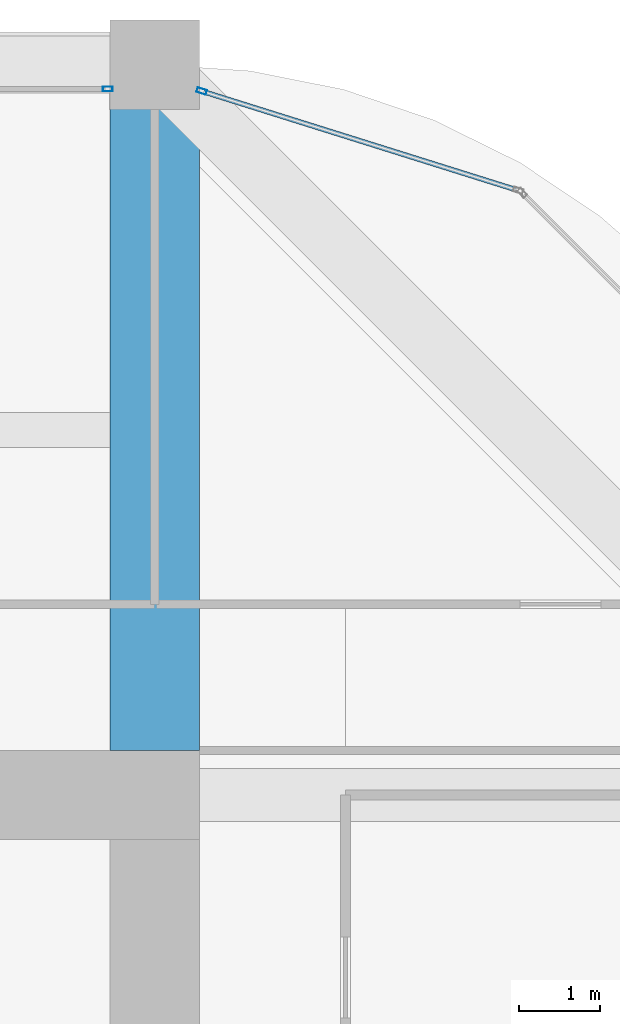
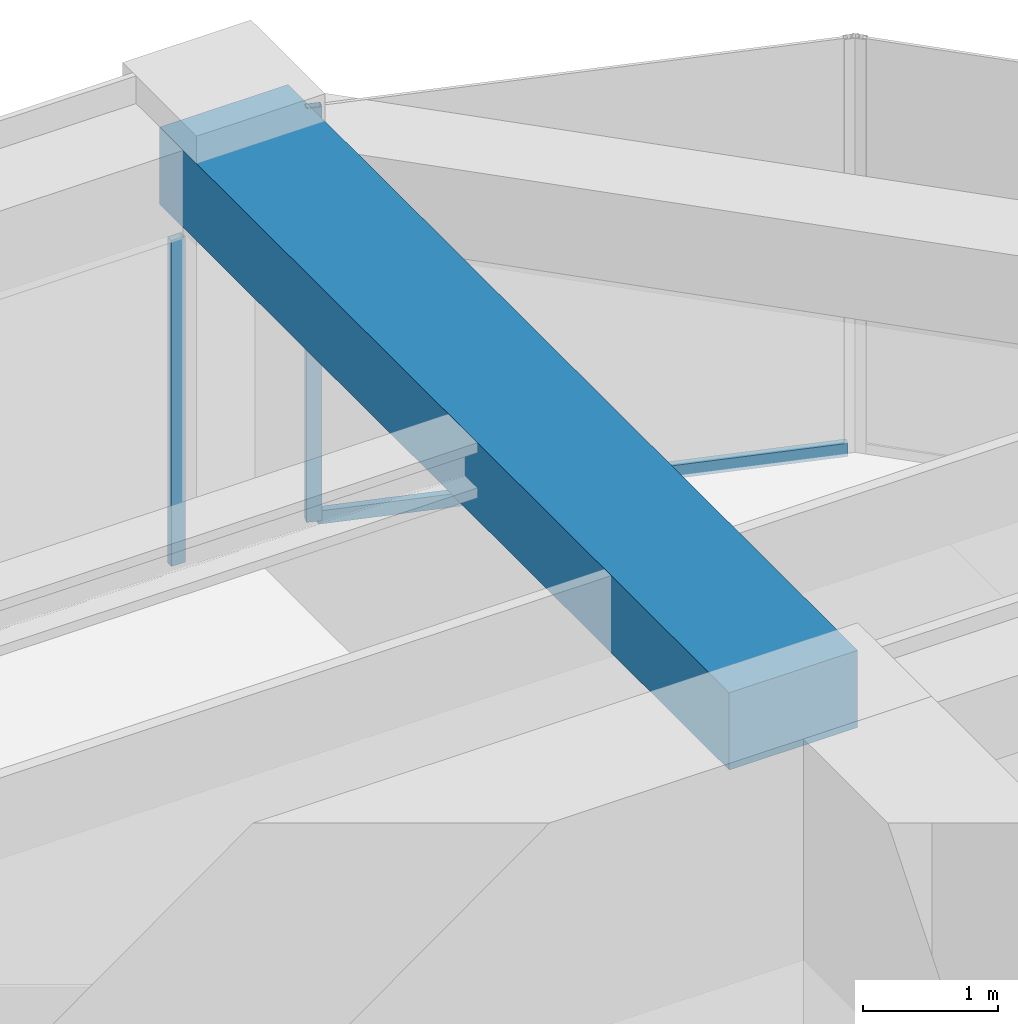
# One storey, part 37 of 44: 3 members, 1 beam, 2 elements without a shape of their own.
"""IFC4 building model written with IfcOpenShell, lengths in metres."""

from ifc_helpers import new_model, si_unit, direction, frame, origin, origin_2d, place, context, subcontext, project, spatial, rectangle, hollow_rectangle, extrude, material, material_profile, profile_set, type_object, element, aggregate, save


model = new_model("IFC4")

# Units and contexts
model_context = context("Model", 3, precision=1e-05, world=origin(), true_north=direction((0.0, 1.0)))
body_context = subcontext(model_context, "Body", "Model", "MODEL_VIEW")
ifc_project = project(units=[si_unit("LENGTHUNIT", "METRE"), si_unit("AREAUNIT", "SQUARE_METRE"), si_unit("VOLUMEUNIT", "CUBIC_METRE"), si_unit("PLANEANGLEUNIT", "RADIAN"), si_unit("MASSUNIT", "GRAM", prefix="KILO")], contexts=[model_context])

# Site, building, storey
site_placement = place(None, origin())
site = spatial("IfcSite", under=ifc_project, at=site_placement, CompositionType="ELEMENT")
building_placement = place(site_placement, origin())
building = spatial("IfcBuilding", under=site, at=building_placement, Name="Zorevar Civic Tower", CompositionType="ELEMENT")
storey_placement = place(building_placement, frame((0.0, 0.0, 271.39990234375)))
storey = spatial("IfcBuildingStorey", under=building, at=storey_placement, Name="L66", CompositionType="ELEMENT", Elevation=271.39990234375)

# Beam
ifc_material_1 = material(Name="Concrete C50/60", Category="concrete")
ifc_material_profile_1 = material_profile(ifc_material_1, rectangle(XDim=1.10009765625, YDim=0.699951171875, at=origin_2d()), Name="RC 1100x700")
ifc_profile_set_1 = profile_set([ifc_material_profile_1], Name="Concrete C50/60")
beam_type = type_object("IfcBeamType", Name="Beam RC 1100x700", PredefinedType="BEAM", material=ifc_profile_set_1)
beam_placement = place(storey_placement, frame((45.0, 36.550048828125, 3.400146484375), z_axis=(0.0, 1.0, 0.0), x_axis=(-1.0, 0.0, 0.0)))
element("IfcBeam", 1, at=beam_placement, inside=storey, type_object=beam_type, Name="Girder L67", PredefinedType="BEAM", context=body_context, shape_type="SweptSolid", body=[
    extrude(rectangle(XDim=1.10009765625, YDim=0.699951171875, at=origin_2d()), origin(), (0.0, 0.0, 1.0), 8.449951171875),
])

# Curtain wall, member
ifc_material_2 = material(Name="Dark grey solar-control glass in black aluminium frame", Category="aluminium")
curtain_wall_type = type_object("IfcCurtainWallType", Name="Curtain wall CW5 top zone", PredefinedType="NOTDEFINED", material=ifc_material_2)
curtain_wall_1_placement = place(storey_placement, origin())
curtain_wall_1 = element("IfcCurtainWall", 2, at=curtain_wall_1_placement, inside=storey, type_object=curtain_wall_type, Name="CW5 L66", PredefinedType="NOTDEFINED")
ifc_material_3 = material(Name="Aluminium, black anodised", Category="aluminium")
ifc_material_profile_2 = material_profile(ifc_material_3, hollow_rectangle(XDim=0.06005859375, YDim=0.1201171875, WallThickness=0.0029296875, at=origin_2d()), Name="AL 120x60x3")
ifc_profile_set_2 = profile_set([ifc_material_profile_2], Name="Aluminium, black anodised")
member_type_1 = type_object("IfcMemberType", Name="CW5 mullion AL 120x60x3", PredefinedType="MULLION", material=ifc_profile_set_2)
member_1_placement = place(storey_placement, frame((44.419921875, 44.699951171875, 0.0), z_axis=(0.0, 0.0, 1.0), x_axis=(0.0, 1.0, 0.0)))
member_1 = element("IfcMember", 3, at=member_1_placement, type_object=member_type_1, Name="CW5 mullion 3", PredefinedType="MULLION", context=body_context, shape_type="SweptSolid", body=[
    extrude(hollow_rectangle(XDim=0.06005859375, YDim=0.1201171875, WallThickness=0.0029296875, at=origin_2d()), origin(), (0.0, 0.0, 1.0), 2.9501953125),
])
aggregate(curtain_wall_1, [member_1])

# Curtain wall, members
curtain_wall_2_placement = place(storey_placement, origin())
curtain_wall_2 = element("IfcCurtainWall", 4, at=curtain_wall_2_placement, inside=storey, type_object=curtain_wall_type, Name="CW5 L66", PredefinedType="NOTDEFINED")
member_2_placement = place(storey_placement, frame((45.57861328125, 44.673583984375, 0.0), z_axis=(0.0, 0.0, 1.0), x_axis=(-0.299317920238, -0.954153437674, 0.0)))
member_2 = element("IfcMember", 5, at=member_2_placement, type_object=member_type_1, Name="CW5 mullion 2", PredefinedType="MULLION", context=body_context, shape_type="SweptSolid", body=[
    extrude(hollow_rectangle(XDim=0.06005859375, YDim=0.1201171875, WallThickness=0.0029296875, at=origin_2d()), origin(), (0.0, 0.0, 1.0), 3.75),
])
ifc_material_4 = material(Name="Aluminium, black anodised", Category="aluminium")
ifc_material_profile_3 = material_profile(ifc_material_4, hollow_rectangle(XDim=0.06005859375, YDim=0.1201171875, WallThickness=0.0029296875, at=origin_2d()), Name="AL 120x60x3")
ifc_profile_set_3 = profile_set([ifc_material_profile_3], Name="Aluminium, black anodised")
member_type_2 = type_object("IfcMemberType", Name="CW5 transom AL 120x60x3", PredefinedType="USERDEFINED", material=ifc_profile_set_3)
member_3_placement = place(storey_placement, frame((49.45068359375, 43.458984375, 0.030029296875), z_axis=(-0.954163457351, 0.299285978047, 0.0), x_axis=(-0.299285978047, -0.954163457351, 0.0)))
member_3 = element("IfcMember", 6, at=member_3_placement, type_object=member_type_2, Name="CW5 sill transom", ObjectType="TRANSOM", PredefinedType="USERDEFINED", context=body_context, shape_type="SweptSolid", body=[
    extrude(hollow_rectangle(XDim=0.06005859375, YDim=0.1201171875, WallThickness=0.0029296875, at=origin_2d()), origin(), (0.0, 0.0, 1.0), 4.028076171875),
])
aggregate(curtain_wall_2, [member_2, member_3])

save(model, "model.ifc")
